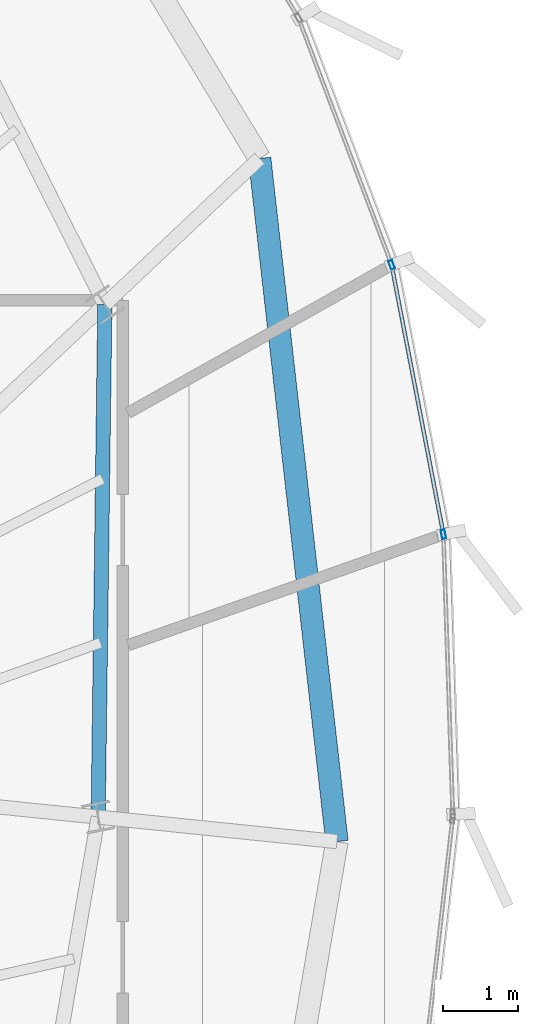
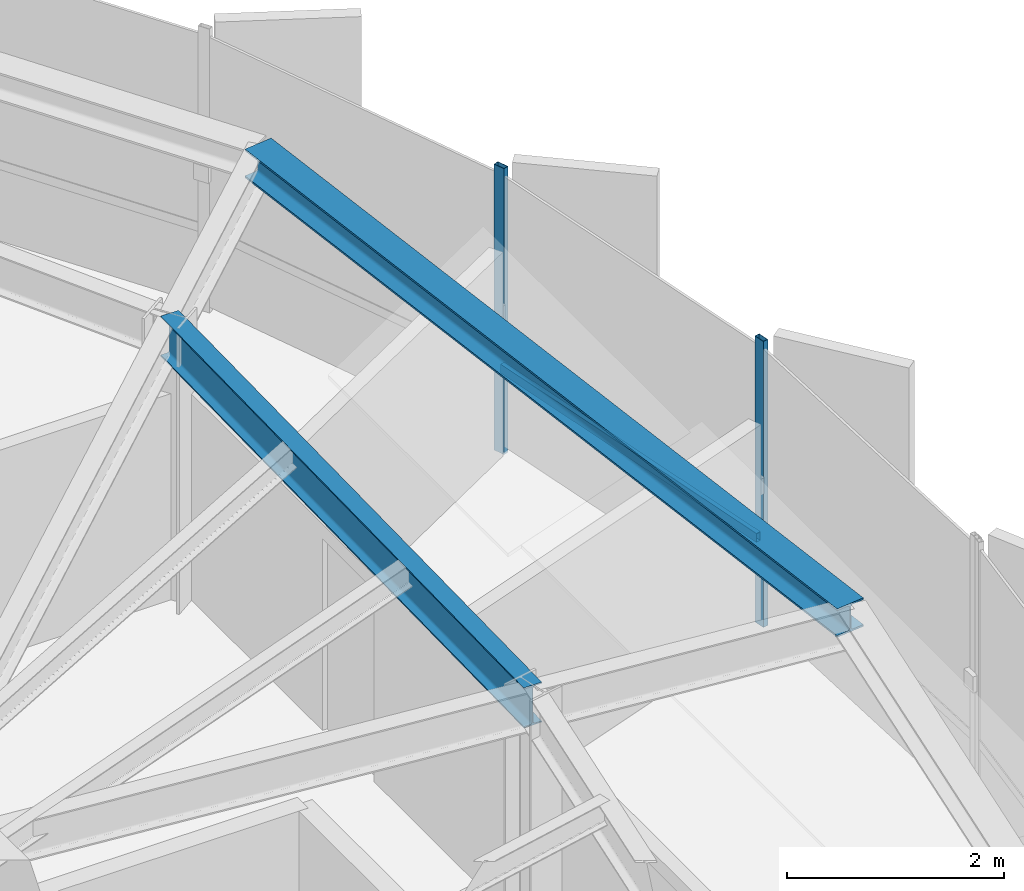
# One storey, part 16 of 31: 3 members, 2 beams, 1 element without a shape of its own.
"""IFC4 building model written with IfcOpenShell, lengths in metres."""

from ifc_helpers import new_model, si_unit, direction, frame, origin, origin_2d, place, context, subcontext, project, spatial, hollow_rectangle, i_section, extrude, source, transform, mapped, material, layer, layer_set, material_profile, profile_set, type_object, element, aggregate, save


model = new_model("IFC4")

# Units and contexts
model_context = context("Model", 3, precision=1e-05, world=origin(), true_north=direction((0.0, 1.0)))
body_context = subcontext(model_context, "Body", "Model", "MODEL_VIEW")
ifc_project = project(units=[si_unit("LENGTHUNIT", "METRE"), si_unit("AREAUNIT", "SQUARE_METRE"), si_unit("VOLUMEUNIT", "CUBIC_METRE"), si_unit("PLANEANGLEUNIT", "RADIAN"), si_unit("MASSUNIT", "GRAM", prefix="KILO"), si_unit("THERMODYNAMICTEMPERATUREUNIT", "KELVIN")], contexts=[model_context])

# Site, building, storey
site_placement = place(None, origin())
site = spatial("IfcSite", under=ifc_project, at=site_placement, CompositionType="ELEMENT")
building_placement = place(site_placement, origin())
building = spatial("IfcBuilding", under=site, at=building_placement, Name="Kethvar Cultural Tower", CompositionType="ELEMENT")
storey_placement = place(building_placement, frame((0.0, 0.0, 287.050048828125)))
storey = spatial("IfcBuildingStorey", under=building, at=storey_placement, Name="L76", CompositionType="ELEMENT", Elevation=287.050048828125)

# Beams
ifc_material_1 = material(Name="Steel S355J2", Category="steel")
ifc_material_profile_1 = material_profile(ifc_material_1, i_section(OverallWidth=0.18994140625, OverallDepth=0.449951171875, WebThickness=0.009521484375, FlangeThickness=0.0146484375, FilletRadius=0.02099609375, at=origin_2d()), Name="Steel S355J2 — IPE450")
ifc_profile_set_1 = profile_set([ifc_material_profile_1], Name="Steel S355J2 — IPE450")
beam_type_1 = type_object("IfcBeamType", Name="BM-IPE450", PredefinedType="BEAM", material=ifc_profile_set_1)
shared_shape_1 = source(origin(), body_context, "Body", "SweptSolid", [
    extrude(i_section(OverallWidth=0.18994140625, OverallDepth=0.449951171875, WebThickness=0.009521484375, FlangeThickness=0.0146484375, FilletRadius=0.02099609375, at=origin_2d()), origin(), (0.0, 0.0, 1.0), 6.834716796875),
])
beam_1_placement = place(storey_placement, frame((61.237060546875, 30.671630859375, 2.98291015625), z_axis=(0.012966437445, 0.999915932216, 0.0), x_axis=(-0.999915932216, 0.012966437445, 0.0)))
element("IfcBeam", 1, at=beam_1_placement, inside=storey, type_object=beam_type_1, Name="L76 Column Ring Tie Beam CR-01", PredefinedType="BEAM", context=body_context, shape_type="MappedRepresentation", body=[
    mapped(shared_shape_1, transform((0.0, 0.0, 0.0), scale=1.0)),
])
ifc_material_profile_2 = material_profile(ifc_material_1, i_section(OverallWidth=0.300048828125, OverallDepth=0.320068359375, WebThickness=0.011474609375, FlangeThickness=0.0205078125, FilletRadius=0.027099609375, at=origin_2d()), Name="Steel S355J2 — HEB320")
ifc_profile_set_2 = profile_set([ifc_material_profile_2], Name="Steel S355J2 — HEB320")
beam_type_2 = type_object("IfcBeamType", Name="BM-SP320", PredefinedType="SPANDREL", material=ifc_profile_set_2)
shared_shape_2 = source(origin(), body_context, "Body", "SweptSolid", [
    extrude(i_section(OverallWidth=0.300048828125, OverallDepth=0.320068359375, WebThickness=0.011474609375, FlangeThickness=0.0205078125, FilletRadius=0.027099609375, at=origin_2d()), origin(), (0.0, 0.0, 1.0), 9.1669921875),
])
beam_2_placement = place(storey_placement, frame((64.42041015625, 30.34521484375, 3.0478515625), z_axis=(-0.112468673524, 0.993655270944, 0.0), x_axis=(-0.993655270944, -0.112468673524, 0.0)))
element("IfcBeam", 2, at=beam_2_placement, inside=storey, type_object=beam_type_2, Name="L76 Perimeter Spandrel Beam SP-01", PredefinedType="SPANDREL", context=body_context, shape_type="MappedRepresentation", body=[
    mapped(shared_shape_2, transform((0.0, 0.0, 0.0), scale=1.0)),
])

# Curtain wall, members
ifc_material_2 = material(Name="Aluminium 6063-T6", Category="aluminium")
ifc_layer = layer(ifc_material_2, 0.179931640625, Name="Aluminium 6063-T6", Category="aluminium")
ifc_layer_set = layer_set([ifc_layer], Name="Aluminium 6063-T6 (180 mm)")
curtain_wall_type = type_object("IfcCurtainWallType", Name="CW-SYS-05-Z56", PredefinedType="NOTDEFINED", material=ifc_layer_set)
curtain_wall_placement = place(storey_placement, origin())
curtain_wall = element("IfcCurtainWall", 3, at=curtain_wall_placement, inside=storey, type_object=curtain_wall_type, Name="L76 Curtain Wall Run 06", PredefinedType="NOTDEFINED")
ifc_material_profile_3 = material_profile(ifc_material_2, hollow_rectangle(XDim=0.054931640625, YDim=0.1201171875, WallThickness=0.00390625, at=origin_2d()), Name="Aluminium 6063-T6 — RHS120x55x4")
ifc_profile_set_3 = profile_set([ifc_material_profile_3], Name="Aluminium 6063-T6 — RHS120x55x4")
member_type_1 = type_object("IfcMemberType", Name="CW-SYS-05-Z56-MUL", PredefinedType="MULLION", material=ifc_profile_set_3)
shared_shape_3 = source(origin(), body_context, "Body", "SweptSolid", [
    extrude(hollow_rectangle(XDim=0.054931640625, YDim=0.1201171875, WallThickness=0.00390625, at=origin_2d()), origin(), (0.0, 0.0, 1.0), 3.2099609375),
])
member_1_placement = place(storey_placement, frame((65.8408203125, 34.442626953125, 0.0), z_axis=(0.0, 0.0, 1.0), x_axis=(-0.981955412209, -0.189112581374, 0.0)))
member_1 = element("IfcMember", 4, at=member_1_placement, type_object=member_type_1, Name="CW-L76-R06 Mullion 2", PredefinedType="MULLION", context=body_context, shape_type="MappedRepresentation", body=[
    mapped(shared_shape_3, transform((0.0, 0.0, 0.0), scale=1.0)),
])
member_2_placement = place(storey_placement, frame((65.150390625, 38.0341796875, 0.0), z_axis=(0.0, 0.0, 1.0), x_axis=(-0.935567359834, -0.353148290685, 0.0)))
member_2 = element("IfcMember", 5, at=member_2_placement, type_object=member_type_1, Name="CW-L76-R06 Mullion 3", PredefinedType="MULLION", context=body_context, shape_type="MappedRepresentation", body=[
    mapped(shared_shape_3, transform((0.0, 0.0, 0.0), scale=1.0)),
])
ifc_material_profile_4 = material_profile(ifc_material_2, hollow_rectangle(XDim=0.050048828125, YDim=0.10009765625, WallThickness=0.00390625, at=origin_2d()), Name="Aluminium 6063-T6 — RHS100x50x4")
ifc_profile_set_4 = profile_set([ifc_material_profile_4], Name="Aluminium 6063-T6 — RHS100x50x4")
member_type_2 = type_object("IfcMemberType", Name="CW-SYS-05-Z56-TRN", PredefinedType="USERDEFINED", material=ifc_profile_set_4)
shared_shape_4 = source(origin(), body_context, "Body", "SweptSolid", [
    extrude(hollow_rectangle(XDim=0.050048828125, YDim=0.10009765625, WallThickness=0.00390625, at=origin_2d()), origin(), (0.0, 0.0, 1.0), 3.59521484375),
])
member_3_placement = place(storey_placement, frame((65.833251953125, 34.4814453125, 0.949951171875), z_axis=(-0.189124443997, 0.981953127539, 0.0), x_axis=(-0.981953127539, -0.189124443997, 0.0)))
member_3 = element("IfcMember", 6, at=member_3_placement, type_object=member_type_2, Name="CW-L76-R06 Transom 2", ObjectType="TRANSOM", PredefinedType="USERDEFINED", context=body_context, shape_type="MappedRepresentation", body=[
    mapped(shared_shape_4, transform((0.0, 0.0, 0.0), scale=1.0)),
])
aggregate(curtain_wall, [member_1, member_2, member_3])

save(model, "model.ifc")
